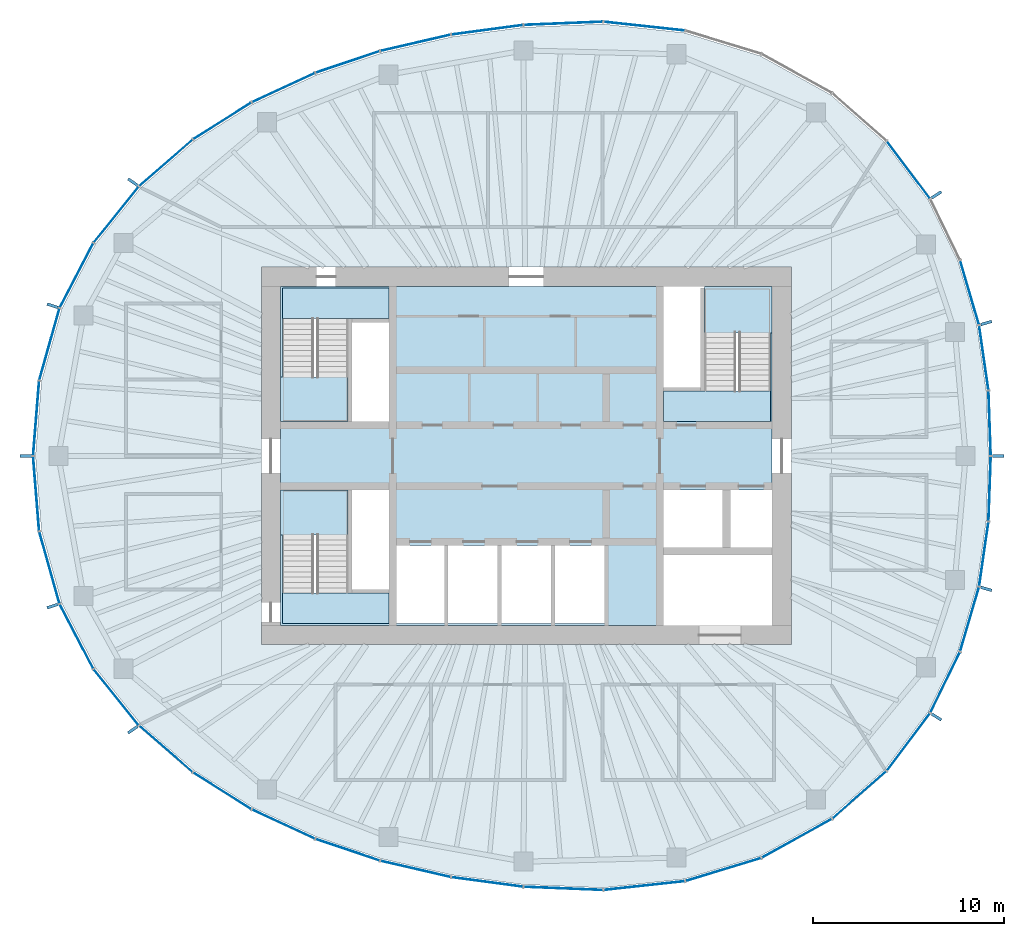
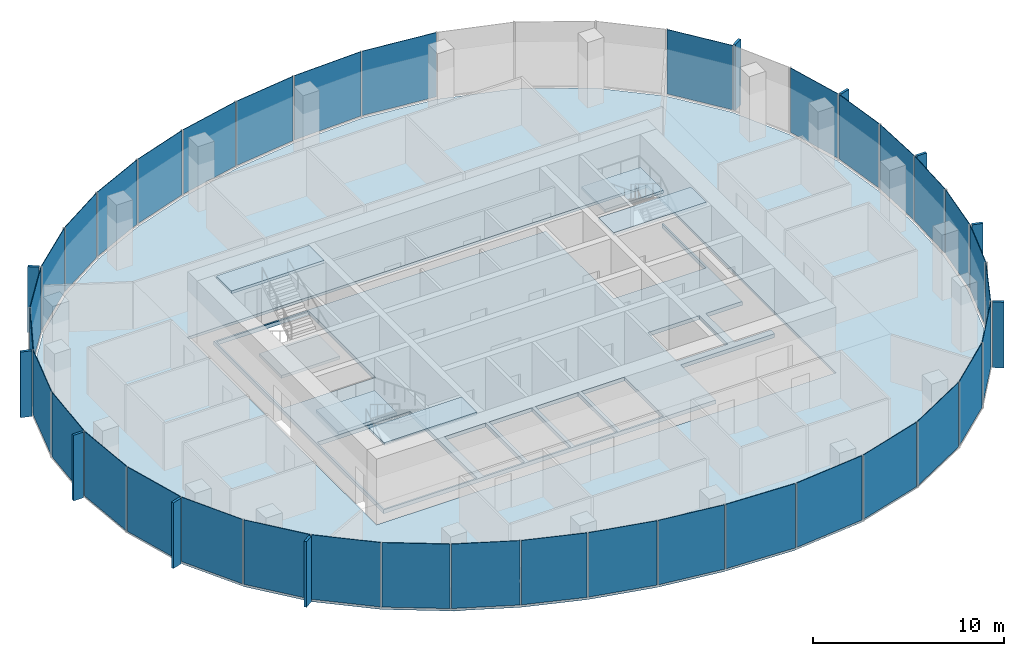
# One storey, part 7 of 11: 46 plates, 8 slabs, 22 elements without a shape of their own.
"""IFC4 building model written with IfcOpenShell, lengths in metres."""

from ifc_helpers import new_model, si_unit, direction, frame, origin, origin_2d, place, context, subcontext, project, spatial, polyline, rectangle, outline, extrude, material, layer, layer_set, type_object, element, aggregate, save


model = new_model("IFC4")

# Units and contexts
model_context = context("Model", 3, precision=1e-05, world=origin(), true_north=direction((0.0, 1.0)))
body_context = subcontext(model_context, "Body", "Model", "MODEL_VIEW")
ifc_project = project(units=[si_unit("LENGTHUNIT", "METRE"), si_unit("AREAUNIT", "SQUARE_METRE"), si_unit("VOLUMEUNIT", "CUBIC_METRE"), si_unit("PLANEANGLEUNIT", "RADIAN"), si_unit("MASSUNIT", "GRAM", prefix="KILO")], contexts=[model_context])

# Site, building, storey
site_placement = place(None, origin())
site = spatial("IfcSite", under=ifc_project, at=site_placement, CompositionType="ELEMENT")
building_placement = place(site_placement, origin())
building = spatial("IfcBuilding", under=site, at=building_placement, Name="Ghaith Harvest Tower", CompositionType="ELEMENT")
storey_placement = place(building_placement, frame((0.0, 0.0, 317.39990234375)))
storey = spatial("IfcBuildingStorey", under=building, at=storey_placement, Name="L71", CompositionType="ELEMENT", Elevation=317.39990234375)

# Curtain wall, plates
ifc_material_1 = material(Name="Black anodised aluminium and fritted glass", Category="aluminium")
curtain_wall_type = type_object("IfcCurtainWallType", Name="CW-T CURTAIN WALL", PredefinedType="NOTDEFINED", material=ifc_material_1)
curtain_wall_1_placement = place(storey_placement, origin())
curtain_wall_1 = element("IfcCurtainWall", 1, at=curtain_wall_1_placement, inside=storey, type_object=curtain_wall_type, Name="Curtain wall CW-T bay 01 L71", PredefinedType="NOTDEFINED")
ifc_material_2 = material(Name="Glass, dark solar-control fritted double glazed unit", Category="glass")
ifc_layer_1 = layer(ifc_material_2, 0.033935546875)
ifc_layer_set_1 = layer_set([ifc_layer_1], Name="CW-T VISION PANEL")
plate_type_1 = type_object("IfcPlateType", Name="CW-T VISION PANEL", PredefinedType="CURTAIN_PANEL", material=ifc_layer_set_1)
plate_1_placement = place(storey_placement, frame((24.308837890625, 1.716796875, 0.080078125), z_axis=(0.0, 0.0, 1.0), x_axis=(-0.035536161859, 0.999368391135, 0.0)))
plate_1 = element("IfcPlate", 2, at=plate_1_placement, type_object=plate_type_1, Name="CW-T glass unit 1 bay 01 L71", PredefinedType="CURTAIN_PANEL", context=body_context, shape_type="SweptSolid", body=[
    extrude(rectangle(XDim=3.35595703125, YDim=0.033935546875, at=origin_2d()), origin(), (0.0, 0.0, 1.0), 4.1201171875),
])
plate_2_placement = place(storey_placement, frame((24.00048828125, 5.1494140625, 0.080078125), z_axis=(0.0, 0.0, 1.0), x_axis=(-0.142729771229, 0.989761694755, 0.0)))
plate_2 = element("IfcPlate", 3, at=plate_2_placement, type_object=plate_type_1, Name="CW-T glass unit 2 bay 01 L71", PredefinedType="CURTAIN_PANEL", context=body_context, shape_type="SweptSolid", body=[
    extrude(rectangle(XDim=3.38671875, YDim=0.033935546875, at=origin_2d()), origin(), (0.0, 0.0, 1.0), 4.1201171875),
])
aggregate(curtain_wall_1, [plate_1, plate_2])

# Curtain wall, plate
curtain_wall_2_placement = place(storey_placement, origin())
curtain_wall_2 = element("IfcCurtainWall", 4, at=curtain_wall_2_placement, inside=storey, type_object=curtain_wall_type, Name="Curtain wall CW-T bay 02 L71", PredefinedType="NOTDEFINED")
plate_3_placement = place(storey_placement, frame((23.253662109375, 8.56884765625, 0.080078125), z_axis=(0.0, 0.0, 1.0), x_axis=(-0.281344622776, 0.959606796159, 0.0)))
plate_3 = element("IfcPlate", 5, at=plate_3_placement, type_object=plate_type_1, Name="CW-T glass unit 1 bay 02 L71", PredefinedType="CURTAIN_PANEL", context=body_context, shape_type="SweptSolid", body=[
    extrude(rectangle(XDim=3.470703125, YDim=0.033935546875, at=origin_2d()), origin(), (0.0, 0.0, 1.0), 4.1201171875),
])
aggregate(curtain_wall_2, [plate_3])

curtain_wall_3_placement = place(storey_placement, origin())
curtain_wall_3 = element("IfcCurtainWall", 6, at=curtain_wall_3_placement, inside=storey, type_object=curtain_wall_type, Name="Curtain wall CW-T bay 03 L71", PredefinedType="NOTDEFINED")
plate_4_placement = place(storey_placement, frame((20.045166015625, 15.006103515625, 0.080078125), z_axis=(0.0, 0.0, 1.0), x_axis=(-0.601047892764, 0.799213007029, 0.0)))
plate_4 = element("IfcPlate", 7, at=plate_4_placement, type_object=plate_type_1, Name="CW-T glass unit 1 bay 03 L71", PredefinedType="CURTAIN_PANEL", context=body_context, shape_type="SweptSolid", body=[
    extrude(rectangle(XDim=3.7265625, YDim=0.033935546875, at=origin_2d()), origin(), (0.0, 0.0, 1.0), 4.1201171875),
])
aggregate(curtain_wall_3, [plate_4])

# Curtain wall, plates
curtain_wall_4_placement = place(storey_placement, origin())
curtain_wall_4 = element("IfcCurtainWall", 8, at=curtain_wall_4_placement, inside=storey, type_object=curtain_wall_type, Name="Curtain wall CW-T bay 05 L71", PredefinedType="NOTDEFINED")
plate_5_placement = place(storey_placement, frame((6.188720703125, 22.542724609375, 0.080078125), z_axis=(0.0, 0.0, 1.0), x_axis=(-0.994142883447, 0.108073712304, 0.0)))
plate_5 = element("IfcPlate", 9, at=plate_5_placement, type_object=plate_type_1, Name="CW-T glass unit 1 bay 05 L71", PredefinedType="CURTAIN_PANEL", context=body_context, shape_type="SweptSolid", body=[
    extrude(rectangle(XDim=4.24755859375, YDim=0.033935546875, at=origin_2d()), origin(), (0.0, 0.0, 1.0), 4.1201171875),
])
plate_6_placement = place(storey_placement, frame((1.94140625, 22.691162109375, 0.080078125), z_axis=(0.0, 0.0, 1.0), x_axis=(-0.999173925852, -0.040638231968, 0.0)))
plate_6 = element("IfcPlate", 10, at=plate_6_placement, type_object=plate_type_1, Name="CW-T glass unit 2 bay 05 L71", PredefinedType="CURTAIN_PANEL", context=body_context, shape_type="SweptSolid", body=[
    extrude(rectangle(XDim=4.115966796875, YDim=0.033935546875, at=origin_2d()), origin(), (0.0, 0.0, 1.0), 4.1201171875),
])
aggregate(curtain_wall_4, [plate_5, plate_6])

curtain_wall_5_placement = place(storey_placement, origin())
curtain_wall_5 = element("IfcCurtainWall", 11, at=curtain_wall_5_placement, inside=storey, type_object=curtain_wall_type, Name="Curtain wall CW-T bay 06 L71", PredefinedType="NOTDEFINED")
plate_7_placement = place(storey_placement, frame((-2.050537109375, 22.352294921875, 0.080078125), z_axis=(0.0, 0.0, 1.0), x_axis=(-0.991165262661, -0.132632658474, 0.0)))
plate_7 = element("IfcPlate", 12, at=plate_7_placement, type_object=plate_type_1, Name="CW-T glass unit 1 bay 06 L71", PredefinedType="CURTAIN_PANEL", context=body_context, shape_type="SweptSolid", body=[
    extrude(rectangle(XDim=3.74560546875, YDim=0.033935546875, at=origin_2d()), origin(), (0.0, 0.0, 1.0), 4.1201171875),
])
plate_8_placement = place(storey_placement, frame((-5.80859375, 21.66845703125, 0.080078125), z_axis=(0.0, 0.0, 1.0), x_axis=(-0.974342245415, -0.225071519297, 0.0)))
plate_8 = element("IfcPlate", 13, at=plate_8_placement, type_object=plate_type_1, Name="CW-T glass unit 2 bay 06 L71", PredefinedType="CURTAIN_PANEL", context=body_context, shape_type="SweptSolid", body=[
    extrude(rectangle(XDim=3.742431640625, YDim=0.033935546875, at=origin_2d()), origin(), (0.0, 0.0, 1.0), 4.1201171875),
])
aggregate(curtain_wall_5, [plate_7, plate_8])

curtain_wall_6_placement = place(storey_placement, origin())
curtain_wall_6 = element("IfcCurtainWall", 14, at=curtain_wall_6_placement, inside=storey, type_object=curtain_wall_type, Name="Curtain wall CW-T bay 07 L71", PredefinedType="NOTDEFINED")
plate_9_placement = place(storey_placement, frame((-9.369140625, 20.665771484375, 0.080078125), z_axis=(0.0, 0.0, 1.0), x_axis=(-0.947586403329, -0.319499621637, 0.0)))
plate_9 = element("IfcPlate", 15, at=plate_9_placement, type_object=plate_type_1, Name="CW-T glass unit 1 bay 07 L71", PredefinedType="CURTAIN_PANEL", context=body_context, shape_type="SweptSolid", body=[
    extrude(rectangle(XDim=3.50439453125, YDim=0.033935546875, at=origin_2d()), origin(), (0.0, 0.0, 1.0), 4.1201171875),
])
plate_10_placement = place(storey_placement, frame((-12.736083984375, 19.3203125, 0.080078125), z_axis=(0.0, 0.0, 1.0), x_axis=(-0.907450165401, -0.420159728334, 0.0)))
plate_10 = element("IfcPlate", 16, at=plate_10_placement, type_object=plate_type_1, Name="CW-T glass unit 2 bay 07 L71", PredefinedType="CURTAIN_PANEL", context=body_context, shape_type="SweptSolid", body=[
    extrude(rectangle(XDim=3.597900390625, YDim=0.033935546875, at=origin_2d()), origin(), (0.0, 0.0, 1.0), 4.1201171875),
])
aggregate(curtain_wall_6, [plate_9, plate_10])

curtain_wall_7_placement = place(storey_placement, origin())
curtain_wall_7 = element("IfcCurtainWall", 17, at=curtain_wall_7_placement, inside=storey, type_object=curtain_wall_type, Name="Curtain wall CW-T bay 08 L71", PredefinedType="NOTDEFINED")
plate_11_placement = place(storey_placement, frame((-15.94970703125, 17.57421875, 0.080078125), z_axis=(0.0, 0.0, 1.0), x_axis=(-0.846043473903, -0.533113909279, 0.0)))
plate_11 = element("IfcPlate", 18, at=plate_11_placement, type_object=plate_type_1, Name="CW-T glass unit 1 bay 08 L71", PredefinedType="CURTAIN_PANEL", context=body_context, shape_type="SweptSolid", body=[
    extrude(rectangle(XDim=3.572021484375, YDim=0.033935546875, at=origin_2d()), origin(), (0.0, 0.0, 1.0), 4.1201171875),
])
plate_12_placement = place(storey_placement, frame((-18.909423828125, 15.371337890625, 0.080078125), z_axis=(0.0, 0.0, 1.0), x_axis=(-0.754828549513, -0.655922145411, 0.0)))
plate_12 = element("IfcPlate", 19, at=plate_12_placement, type_object=plate_type_1, Name="CW-T glass unit 2 bay 08 L71", PredefinedType="CURTAIN_PANEL", context=body_context, shape_type="SweptSolid", body=[
    extrude(rectangle(XDim=3.668701171875, YDim=0.033935546875, at=origin_2d()), origin(), (0.0, 0.0, 1.0), 4.1201171875),
])
aggregate(curtain_wall_7, [plate_11, plate_12])

curtain_wall_8_placement = place(storey_placement, origin())
curtain_wall_8 = element("IfcCurtainWall", 20, at=curtain_wall_8_placement, inside=storey, type_object=curtain_wall_type, Name="Curtain wall CW-T bay 09 L71", PredefinedType="NOTDEFINED")
plate_13_placement = place(storey_placement, frame((-21.515380859375, 12.6591796875, 0.080078125), z_axis=(0.0, 0.0, 1.0), x_axis=(-0.626229505742, -0.779638766441, 0.0)))
plate_13 = element("IfcPlate", 21, at=plate_13_placement, type_object=plate_type_1, Name="CW-T glass unit 1 bay 09 L71", PredefinedType="CURTAIN_PANEL", context=body_context, shape_type="SweptSolid", body=[
    extrude(rectangle(XDim=3.723388671875, YDim=0.033935546875, at=origin_2d()), origin(), (0.0, 0.0, 1.0), 4.1201171875),
])
plate_14_placement = place(storey_placement, frame((-23.594482421875, 9.4677734375, 0.080078125), z_axis=(0.0, 0.0, 1.0), x_axis=(-0.461229945578, -0.887280641794, 0.0)))
plate_14 = element("IfcPlate", 22, at=plate_14_placement, type_object=plate_type_1, Name="CW-T glass unit 2 bay 09 L71", PredefinedType="CURTAIN_PANEL", context=body_context, shape_type="SweptSolid", body=[
    extrude(rectangle(XDim=3.771728515625, YDim=0.033935546875, at=origin_2d()), origin(), (0.0, 0.0, 1.0), 4.1201171875),
])
aggregate(curtain_wall_8, [plate_13, plate_14])

curtain_wall_9_placement = place(storey_placement, origin())
curtain_wall_9 = element("IfcCurtainWall", 23, at=curtain_wall_9_placement, inside=storey, type_object=curtain_wall_type, Name="Curtain wall CW-T bay 10 L71", PredefinedType="NOTDEFINED")
plate_15_placement = place(storey_placement, frame((-25.017333984375, 5.85546875, 0.080078125), z_axis=(0.0, 0.0, 1.0), x_axis=(-0.270355239749, -0.962760637095, 0.0)))
plate_15 = element("IfcPlate", 24, at=plate_15_placement, type_object=plate_type_1, Name="CW-T glass unit 1 bay 10 L71", PredefinedType="CURTAIN_PANEL", context=body_context, shape_type="SweptSolid", body=[
    extrude(rectangle(XDim=3.874267578125, YDim=0.033935546875, at=origin_2d()), origin(), (0.0, 0.0, 1.0), 4.1201171875),
])
plate_16_placement = place(storey_placement, frame((-25.7109375, 1.97607421875, 0.080078125), z_axis=(0.0, 0.0, 1.0), x_axis=(-0.080257648011, -0.99677415192, 0.0)))
plate_16 = element("IfcPlate", 25, at=plate_16_placement, type_object=plate_type_1, Name="CW-T glass unit 2 bay 10 L71", PredefinedType="CURTAIN_PANEL", context=body_context, shape_type="SweptSolid", body=[
    extrude(rectangle(XDim=3.884765625, YDim=0.033935546875, at=origin_2d()), origin(), (0.0, 0.0, 1.0), 4.1201171875),
])
aggregate(curtain_wall_9, [plate_15, plate_16])

curtain_wall_10_placement = place(storey_placement, origin())
curtain_wall_10 = element("IfcCurtainWall", 26, at=curtain_wall_10_placement, inside=storey, type_object=curtain_wall_type, Name="Curtain wall CW-T bay 11 L71", PredefinedType="NOTDEFINED")
plate_17_placement = place(storey_placement, frame((-25.7109375, -1.97607421875, 0.080078125), z_axis=(0.0, 0.0, 1.0), x_axis=(0.080257648324, -0.996774151895, 0.0)))
plate_17 = element("IfcPlate", 27, at=plate_17_placement, type_object=plate_type_1, Name="CW-T glass unit 1 bay 11 L71", PredefinedType="CURTAIN_PANEL", context=body_context, shape_type="SweptSolid", body=[
    extrude(rectangle(XDim=3.884765625, YDim=0.033935546875, at=origin_2d()), origin(), (0.0, 0.0, 1.0), 4.1201171875),
])
plate_18_placement = place(storey_placement, frame((-25.017333984375, -5.85546875, 0.080078125), z_axis=(0.0, 0.0, 1.0), x_axis=(0.27035523953, -0.962760637157, 0.0)))
plate_18 = element("IfcPlate", 28, at=plate_18_placement, type_object=plate_type_1, Name="CW-T glass unit 2 bay 11 L71", PredefinedType="CURTAIN_PANEL", context=body_context, shape_type="SweptSolid", body=[
    extrude(rectangle(XDim=3.874267578125, YDim=0.033935546875, at=origin_2d()), origin(), (0.0, 0.0, 1.0), 4.1201171875),
])
aggregate(curtain_wall_10, [plate_17, plate_18])

curtain_wall_11_placement = place(storey_placement, origin())
curtain_wall_11 = element("IfcCurtainWall", 29, at=curtain_wall_11_placement, inside=storey, type_object=curtain_wall_type, Name="Curtain wall CW-T bay 12 L71", PredefinedType="NOTDEFINED")
plate_19_placement = place(storey_placement, frame((-23.594482421875, -9.4677734375, 0.080078125), z_axis=(0.0, 0.0, 1.0), x_axis=(0.461229945377, -0.887280641898, 0.0)))
plate_19 = element("IfcPlate", 30, at=plate_19_placement, type_object=plate_type_1, Name="CW-T glass unit 1 bay 12 L71", PredefinedType="CURTAIN_PANEL", context=body_context, shape_type="SweptSolid", body=[
    extrude(rectangle(XDim=3.771728515625, YDim=0.033935546875, at=origin_2d()), origin(), (0.0, 0.0, 1.0), 4.1201171875),
])
plate_20_placement = place(storey_placement, frame((-21.515380859375, -12.6591796875, 0.080078125), z_axis=(0.0, 0.0, 1.0), x_axis=(0.626229505565, -0.779638766583, 0.0)))
plate_20 = element("IfcPlate", 31, at=plate_20_placement, type_object=plate_type_1, Name="CW-T glass unit 2 bay 12 L71", PredefinedType="CURTAIN_PANEL", context=body_context, shape_type="SweptSolid", body=[
    extrude(rectangle(XDim=3.723388671875, YDim=0.033935546875, at=origin_2d()), origin(), (0.0, 0.0, 1.0), 4.1201171875),
])
aggregate(curtain_wall_11, [plate_19, plate_20])

curtain_wall_12_placement = place(storey_placement, origin())
curtain_wall_12 = element("IfcCurtainWall", 32, at=curtain_wall_12_placement, inside=storey, type_object=curtain_wall_type, Name="Curtain wall CW-T bay 13 L71", PredefinedType="NOTDEFINED")
plate_21_placement = place(storey_placement, frame((-18.909423828125, -15.371337890625, 0.080078125), z_axis=(0.0, 0.0, 1.0), x_axis=(0.754828549376, -0.655922145569, 0.0)))
plate_21 = element("IfcPlate", 33, at=plate_21_placement, type_object=plate_type_1, Name="CW-T glass unit 1 bay 13 L71", PredefinedType="CURTAIN_PANEL", context=body_context, shape_type="SweptSolid", body=[
    extrude(rectangle(XDim=3.668701171875, YDim=0.033935546875, at=origin_2d()), origin(), (0.0, 0.0, 1.0), 4.1201171875),
])
plate_22_placement = place(storey_placement, frame((-15.94970703125, -17.57421875, 0.080078125), z_axis=(0.0, 0.0, 1.0), x_axis=(0.846043474052, -0.533113909042, 0.0)))
plate_22 = element("IfcPlate", 34, at=plate_22_placement, type_object=plate_type_1, Name="CW-T glass unit 2 bay 13 L71", PredefinedType="CURTAIN_PANEL", context=body_context, shape_type="SweptSolid", body=[
    extrude(rectangle(XDim=3.572021484375, YDim=0.033935546875, at=origin_2d()), origin(), (0.0, 0.0, 1.0), 4.1201171875),
])
aggregate(curtain_wall_12, [plate_21, plate_22])

curtain_wall_13_placement = place(storey_placement, origin())
curtain_wall_13 = element("IfcCurtainWall", 35, at=curtain_wall_13_placement, inside=storey, type_object=curtain_wall_type, Name="Curtain wall CW-T bay 14 L71", PredefinedType="NOTDEFINED")
plate_23_placement = place(storey_placement, frame((-12.736083984375, -19.3203125, 0.080078125), z_axis=(0.0, 0.0, 1.0), x_axis=(0.907450165812, -0.420159727447, 0.0)))
plate_23 = element("IfcPlate", 36, at=plate_23_placement, type_object=plate_type_1, Name="CW-T glass unit 1 bay 14 L71", PredefinedType="CURTAIN_PANEL", context=body_context, shape_type="SweptSolid", body=[
    extrude(rectangle(XDim=3.597900390625, YDim=0.033935546875, at=origin_2d()), origin(), (0.0, 0.0, 1.0), 4.1201171875),
])
plate_24_placement = place(storey_placement, frame((-9.369140625, -20.665771484375, 0.080078125), z_axis=(0.0, 0.0, 1.0), x_axis=(0.947586403597, -0.319499620843, 0.0)))
plate_24 = element("IfcPlate", 37, at=plate_24_placement, type_object=plate_type_1, Name="CW-T glass unit 2 bay 14 L71", PredefinedType="CURTAIN_PANEL", context=body_context, shape_type="SweptSolid", body=[
    extrude(rectangle(XDim=3.50439453125, YDim=0.033935546875, at=origin_2d()), origin(), (0.0, 0.0, 1.0), 4.1201171875),
])
aggregate(curtain_wall_13, [plate_23, plate_24])

curtain_wall_14_placement = place(storey_placement, origin())
curtain_wall_14 = element("IfcCurtainWall", 38, at=curtain_wall_14_placement, inside=storey, type_object=curtain_wall_type, Name="Curtain wall CW-T bay 15 L71", PredefinedType="NOTDEFINED")
plate_25_placement = place(storey_placement, frame((-5.80859375, -21.66845703125, 0.080078125), z_axis=(0.0, 0.0, 1.0), x_axis=(0.974342245521, -0.225071518838, 0.0)))
plate_25 = element("IfcPlate", 39, at=plate_25_placement, type_object=plate_type_1, Name="CW-T glass unit 1 bay 15 L71", PredefinedType="CURTAIN_PANEL", context=body_context, shape_type="SweptSolid", body=[
    extrude(rectangle(XDim=3.742431640625, YDim=0.033935546875, at=origin_2d()), origin(), (0.0, 0.0, 1.0), 4.1201171875),
])
plate_26_placement = place(storey_placement, frame((-2.050537109375, -22.352294921875, 0.080078125), z_axis=(0.0, 0.0, 1.0), x_axis=(0.991165262684, -0.132632658301, 0.0)))
plate_26 = element("IfcPlate", 40, at=plate_26_placement, type_object=plate_type_1, Name="CW-T glass unit 2 bay 15 L71", PredefinedType="CURTAIN_PANEL", context=body_context, shape_type="SweptSolid", body=[
    extrude(rectangle(XDim=3.74560546875, YDim=0.033935546875, at=origin_2d()), origin(), (0.0, 0.0, 1.0), 4.1201171875),
])
aggregate(curtain_wall_14, [plate_25, plate_26])

curtain_wall_15_placement = place(storey_placement, origin())
curtain_wall_15 = element("IfcCurtainWall", 41, at=curtain_wall_15_placement, inside=storey, type_object=curtain_wall_type, Name="Curtain wall CW-T bay 16 L71", PredefinedType="NOTDEFINED")
plate_27_placement = place(storey_placement, frame((1.94140625, -22.691162109375, 0.080078125), z_axis=(0.0, 0.0, 1.0), x_axis=(0.999173925863, -0.040638231706, 0.0)))
plate_27 = element("IfcPlate", 42, at=plate_27_placement, type_object=plate_type_1, Name="CW-T glass unit 1 bay 16 L71", PredefinedType="CURTAIN_PANEL", context=body_context, shape_type="SweptSolid", body=[
    extrude(rectangle(XDim=4.115966796875, YDim=0.033935546875, at=origin_2d()), origin(), (0.0, 0.0, 1.0), 4.1201171875),
])
plate_28_placement = place(storey_placement, frame((6.188720703125, -22.542724609375, 0.080078125), z_axis=(0.0, 0.0, 1.0), x_axis=(0.994142883417, 0.108073712581, 0.0)))
plate_28 = element("IfcPlate", 43, at=plate_28_placement, type_object=plate_type_1, Name="CW-T glass unit 2 bay 16 L71", PredefinedType="CURTAIN_PANEL", context=body_context, shape_type="SweptSolid", body=[
    extrude(rectangle(XDim=4.24755859375, YDim=0.033935546875, at=origin_2d()), origin(), (0.0, 0.0, 1.0), 4.1201171875),
])
aggregate(curtain_wall_15, [plate_27, plate_28])

curtain_wall_16_placement = place(storey_placement, origin())
curtain_wall_16 = element("IfcCurtainWall", 44, at=curtain_wall_16_placement, inside=storey, type_object=curtain_wall_type, Name="Curtain wall CW-T bay 17 L71", PredefinedType="NOTDEFINED")
plate_29_placement = place(storey_placement, frame((10.337158203125, -21.700439453125, 0.080078125), z_axis=(0.0, 0.0, 1.0), x_axis=(0.956587736012, 0.291444511548, 0.0)))
plate_29 = element("IfcPlate", 45, at=plate_29_placement, type_object=plate_type_1, Name="CW-T glass unit 1 bay 17 L71", PredefinedType="CURTAIN_PANEL", context=body_context, shape_type="SweptSolid", body=[
    extrude(rectangle(XDim=4.095703125, YDim=0.033935546875, at=origin_2d()), origin(), (0.0, 0.0, 1.0), 4.1201171875),
])
plate_30_placement = place(storey_placement, frame((14.19189453125, -20.06201171875, 0.080078125), z_axis=(0.0, 0.0, 1.0), x_axis=(0.874564022715, 0.484910064004, 0.0)))
plate_30 = element("IfcPlate", 46, at=plate_30_placement, type_object=plate_type_1, Name="CW-T glass unit 2 bay 17 L71", PredefinedType="CURTAIN_PANEL", context=body_context, shape_type="SweptSolid", body=[
    extrude(rectangle(XDim=4.167724609375, YDim=0.033935546875, at=origin_2d()), origin(), (0.0, 0.0, 1.0), 4.1201171875),
])
aggregate(curtain_wall_16, [plate_29, plate_30])

curtain_wall_17_placement = place(storey_placement, origin())
curtain_wall_17 = element("IfcCurtainWall", 47, at=curtain_wall_17_placement, inside=storey, type_object=curtain_wall_type, Name="Curtain wall CW-T bay 18 L71", PredefinedType="NOTDEFINED")
plate_31_placement = place(storey_placement, frame((17.47509765625, -17.779541015625, 0.080078125), z_axis=(0.0, 0.0, 1.0), x_axis=(0.751334532577, 0.659921525757, 0.0)))
plate_31 = element("IfcPlate", 48, at=plate_31_placement, type_object=plate_type_1, Name="CW-T glass unit 1 bay 18 L71", PredefinedType="CURTAIN_PANEL", context=body_context, shape_type="SweptSolid", body=[
    extrude(rectangle(XDim=3.7158203125, YDim=0.033935546875, at=origin_2d()), origin(), (0.0, 0.0, 1.0), 4.1201171875),
])
plate_32_placement = place(storey_placement, frame((20.045166015625, -15.006103515625, 0.080078125), z_axis=(0.0, 0.0, 1.0), x_axis=(0.601047892945, 0.799213006892, 0.0)))
plate_32 = element("IfcPlate", 49, at=plate_32_placement, type_object=plate_type_1, Name="CW-T glass unit 2 bay 18 L71", PredefinedType="CURTAIN_PANEL", context=body_context, shape_type="SweptSolid", body=[
    extrude(rectangle(XDim=3.7265625, YDim=0.033935546875, at=origin_2d()), origin(), (0.0, 0.0, 1.0), 4.1201171875),
])
aggregate(curtain_wall_17, [plate_31, plate_32])

curtain_wall_18_placement = place(storey_placement, origin())
curtain_wall_18 = element("IfcCurtainWall", 50, at=curtain_wall_18_placement, inside=storey, type_object=curtain_wall_type, Name="Curtain wall CW-T bay 19 L71", PredefinedType="NOTDEFINED")
plate_33_placement = place(storey_placement, frame((21.9716796875, -11.878662109375, 0.080078125), z_axis=(0.0, 0.0, 1.0), x_axis=(0.437968365352, 0.898990384237, 0.0)))
plate_33 = element("IfcPlate", 51, at=plate_33_placement, type_object=plate_type_1, Name="CW-T glass unit 1 bay 19 L71", PredefinedType="CURTAIN_PANEL", context=body_context, shape_type="SweptSolid", body=[
    extrude(rectangle(XDim=3.49365234375, YDim=0.033935546875, at=origin_2d()), origin(), (0.0, 0.0, 1.0), 4.1201171875),
])
plate_34_placement = place(storey_placement, frame((23.253662109375, -8.56884765625, 0.080078125), z_axis=(0.0, 0.0, 1.0), x_axis=(0.281344622977, 0.9596067961, 0.0)))
plate_34 = element("IfcPlate", 52, at=plate_34_placement, type_object=plate_type_1, Name="CW-T glass unit 2 bay 19 L71", PredefinedType="CURTAIN_PANEL", context=body_context, shape_type="SweptSolid", body=[
    extrude(rectangle(XDim=3.470703125, YDim=0.033935546875, at=origin_2d()), origin(), (0.0, 0.0, 1.0), 4.1201171875),
])
aggregate(curtain_wall_18, [plate_33, plate_34])

curtain_wall_19_placement = place(storey_placement, origin())
curtain_wall_19 = element("IfcCurtainWall", 53, at=curtain_wall_19_placement, inside=storey, type_object=curtain_wall_type, Name="Curtain wall CW-T bay 20 L71", PredefinedType="NOTDEFINED")
plate_35_placement = place(storey_placement, frame((24.00048828125, -5.1494140625, 0.080078125), z_axis=(0.0, 0.0, 1.0), x_axis=(0.142729771402, 0.98976169473, 0.0)))
plate_35 = element("IfcPlate", 54, at=plate_35_placement, type_object=plate_type_1, Name="CW-T glass unit 1 bay 20 L71", PredefinedType="CURTAIN_PANEL", context=body_context, shape_type="SweptSolid", body=[
    extrude(rectangle(XDim=3.38671875, YDim=0.033935546875, at=origin_2d()), origin(), (0.0, 0.0, 1.0), 4.1201171875),
])
plate_36_placement = place(storey_placement, frame((24.308837890625, -1.716796875, 0.080078125), z_axis=(0.0, 0.0, 1.0), x_axis=(0.035536161929, 0.999368391133, 0.0)))
plate_36 = element("IfcPlate", 55, at=plate_36_placement, type_object=plate_type_1, Name="CW-T glass unit 2 bay 20 L71", PredefinedType="CURTAIN_PANEL", context=body_context, shape_type="SweptSolid", body=[
    extrude(rectangle(XDim=3.35595703125, YDim=0.033935546875, at=origin_2d()), origin(), (0.0, 0.0, 1.0), 4.1201171875),
])
aggregate(curtain_wall_19, [plate_35, plate_36])

# Slabs
ifc_material_3 = material(Name="Concrete C40/50", Category="concrete")
ifc_layer_2 = layer(ifc_material_3, 0.169921875)
ifc_layer_set_2 = layer_set([ifc_layer_2], Name="FLOOR SLAB 170")
slab_type_1 = type_object("IfcSlabType", Name="FLOOR SLAB 170", PredefinedType="FLOOR", material=ifc_layer_set_2)
slab_1_placement = place(storey_placement, frame((0.0, 0.0, -0.169921875)))
element("IfcSlab", 56, at=slab_1_placement, inside=storey, type_object=slab_type_1, Name="Floor slab L71", PredefinedType="FLOOR", context=body_context, shape_type="SweptSolid", body=[
    extrude(outline(polyline([(24.25, 0.0), (24.129150390625, 3.4169921875), (23.6376953125, 6.831787109375), (22.644775390625, 10.222900390625), (21.087890625, 13.42041015625), (18.810791015625, 16.4482421875), (15.971923828125, 18.940185546875), (12.273681640625, 20.98828125), (8.2978515625, 22.1962890625), (4.016845703125, 22.658447265625), (-0.15380859375, 22.486083984375), (-3.92529296875, 21.98046875), (-7.6298828125, 21.12548828125), (-11.009521484375, 19.98779296875), (-14.331298828125, 18.452880859375), (-17.40771484375, 16.518310546875), (-20.225830078125, 14.0732421875), (-22.5986328125, 11.12353515625), (-24.368408203125, 7.722900390625), (-25.43310546875, 3.93359375), (-25.75, 0.0), (-25.43310546875, -3.93359375), (-24.368408203125, -7.722900390625), (-22.5986328125, -11.12353515625), (-20.225830078125, -14.0732421875), (-17.40771484375, -16.518310546875), (-14.331298828125, -18.452880859375), (-11.009521484375, -19.98779296875), (-7.6298828125, -21.12548828125), (-3.92529296875, -21.98046875), (-0.15380859375, -22.486083984375), (4.016845703125, -22.658447265625), (8.2978515625, -22.1962890625), (12.273681640625, -20.98828125), (15.971923828125, -18.940185546875), (18.810791015625, -16.4482421875), (21.087890625, -13.42041015625), (22.644775390625, -10.222900390625), (23.6376953125, -6.831787109375), (24.129150390625, -3.4169921875), (24.25, 0.0)]), holes=[polyline([(-13.89990234375, -9.89990234375), (13.89990234375, -9.89990234375), (13.89990234375, 9.89990234375), (-13.89990234375, 9.89990234375), (-13.89990234375, -9.89990234375)])]), origin(), (0.0, 0.0, 1.0), 0.169921875),
])
ifc_material_4 = material(Name="Concrete C40/50", Category="concrete")
ifc_layer_3 = layer(ifc_material_4, 0.25)
ifc_layer_set_3 = layer_set([ifc_layer_3], Name="FLOOR SLAB 250")
slab_type_2 = type_object("IfcSlabType", Name="FLOOR SLAB 250", PredefinedType="FLOOR", material=ifc_layer_set_3)
slab_2_placement = place(storey_placement, frame((0.0, 0.0, -0.25)))
element("IfcSlab", 57, at=slab_2_placement, inside=storey, type_object=slab_type_2, Name="Core slab L71", PredefinedType="FLOOR", context=body_context, shape_type="SweptSolid", body=[
    extrude(outline(polyline([(-12.89990234375, 8.89990234375), (7.199951171875, 8.89990234375), (7.199951171875, 1.800048828125), (12.800048828125, 1.800048828125), (12.800048828125, 6.4599609375), (12.89990234375, 6.4599609375), (12.89990234375, -1.800048828125), (10.699951171875, -1.800048828125), (10.699951171875, -4.800048828125), (12.89990234375, -4.800048828125), (12.89990234375, -5.199951171875), (7.199951171875, -5.199951171875), (7.199951171875, -8.89990234375), (-12.89990234375, -8.89990234375), (-12.89990234375, 8.89990234375)]), holes=[polyline([(-4.300048828125, -4.699951171875), (-6.800048828125, -4.699951171875), (-6.800048828125, -8.800048828125), (-4.300048828125, -8.800048828125), (-4.300048828125, -4.699951171875)]), polyline([(-1.5, -4.699951171875), (-4.10009765625, -4.699951171875), (-4.10009765625, -8.800048828125), (-1.5, -8.800048828125), (-1.5, -4.699951171875)]), polyline([(1.300048828125, -8.800048828125), (1.300048828125, -4.699951171875), (-1.300048828125, -4.699951171875), (-1.300048828125, -8.800048828125), (1.300048828125, -8.800048828125)]), polyline([(4.10009765625, -8.800048828125), (4.10009765625, -4.699951171875), (1.5, -4.699951171875), (1.5, -8.800048828125), (4.10009765625, -8.800048828125)]), polyline([(-7.199951171875, -1.800048828125), (-12.800048828125, -1.800048828125), (-12.800048828125, -8.800048828125), (-7.199951171875, -8.800048828125), (-7.199951171875, -1.800048828125)]), polyline([(10.300048828125, -1.800048828125), (7.199951171875, -1.800048828125), (7.199951171875, -4.800048828125), (10.300048828125, -4.800048828125), (10.300048828125, -1.800048828125)]), polyline([(-12.800048828125, 1.800048828125), (-7.199951171875, 1.800048828125), (-7.199951171875, 8.800048828125), (-12.800048828125, 8.800048828125), (-12.800048828125, 1.800048828125)])]), origin(), (0.0, 0.0, 1.0), 0.25),
])

# Stair, slabs
ifc_material_5 = material(Name="Concrete C40/50, precast", Category="concrete")
stair_type = type_object("IfcStairType", Name="CORE STAIR 24R", PredefinedType="HALF_TURN_STAIR", material=ifc_material_5)
stair_1_placement = place(storey_placement, origin())
stair_1 = element("IfcStair", 58, at=stair_1_placement, inside=storey, type_object=stair_type, Name="Stair ST1 L71", PredefinedType="HALF_TURN_STAIR")
ifc_material_6 = material(Name="Concrete C40/50, precast", Category="concrete")
ifc_layer_4 = layer(ifc_material_6, 0.179931640625)
ifc_layer_set_4 = layer_set([ifc_layer_4], Name="STAIR LANDING 180")
slab_type_3 = type_object("IfcSlabType", Name="STAIR LANDING 180", PredefinedType="LANDING", material=ifc_layer_set_4)
slab_3_placement = place(storey_placement, frame((0.0, 0.0, 1.920166015625)))
slab_3 = element("IfcSlab", 59, at=slab_3_placement, type_object=slab_type_3, Name="ST1 landing 1", PredefinedType="LANDING", context=body_context, shape_type="SweptSolid", body=[
    extrude(outline(polyline([(-12.89990234375, 4.139892578125), (-12.89990234375, 1.800048828125), (-9.35009765625, 1.800048828125), (-9.35009765625, 4.139892578125), (-12.89990234375, 4.139892578125)])), origin(), (0.0, 0.0, 1.0), 0.179931640625),
])
slab_4_placement = place(storey_placement, frame((0.0, 0.0, 4.02001953125)))
slab_4 = element("IfcSlab", 60, at=slab_4_placement, type_object=slab_type_3, Name="ST1 landing 2", PredefinedType="LANDING", context=body_context, shape_type="SweptSolid", body=[
    extrude(outline(polyline([(-12.800048828125, 8.800048828125), (-12.800048828125, 7.199951171875), (-7.199951171875, 7.199951171875), (-7.199951171875, 8.800048828125), (-12.800048828125, 8.800048828125)])), origin(), (0.0, 0.0, 1.0), 0.18017578125),
])
aggregate(stair_1, [slab_3, slab_4])

stair_2_placement = place(storey_placement, origin())
stair_2 = element("IfcStair", 61, at=stair_2_placement, inside=storey, type_object=stair_type, Name="Stair ST3 L71", PredefinedType="HALF_TURN_STAIR")
slab_5_placement = place(storey_placement, frame((0.0, 0.0, 1.920166015625)))
slab_5 = element("IfcSlab", 62, at=slab_5_placement, type_object=slab_type_3, Name="ST3 landing 1", PredefinedType="LANDING", context=body_context, shape_type="SweptSolid", body=[
    extrude(outline(polyline([(-12.89990234375, -4.139892578125), (-12.89990234375, -1.800048828125), (-9.35009765625, -1.800048828125), (-9.35009765625, -4.139892578125), (-12.89990234375, -4.139892578125)])), origin(), (0.0, 0.0, 1.0), 0.179931640625),
])
slab_6_placement = place(storey_placement, frame((0.0, 0.0, 4.02001953125)))
slab_6 = element("IfcSlab", 63, at=slab_6_placement, type_object=slab_type_3, Name="ST3 landing 2", PredefinedType="LANDING", context=body_context, shape_type="SweptSolid", body=[
    extrude(outline(polyline([(-12.800048828125, -8.800048828125), (-12.800048828125, -7.199951171875), (-7.199951171875, -7.199951171875), (-7.199951171875, -8.800048828125), (-12.800048828125, -8.800048828125)])), origin(), (0.0, 0.0, 1.0), 0.18017578125),
])
aggregate(stair_2, [slab_5, slab_6])

stair_3_placement = place(storey_placement, origin())
stair_3 = element("IfcStair", 64, at=stair_3_placement, inside=storey, type_object=stair_type, Name="Stair ST2 L71", PredefinedType="HALF_TURN_STAIR")
slab_7_placement = place(storey_placement, frame((0.0, 0.0, 1.920166015625)))
slab_7 = element("IfcSlab", 65, at=slab_7_placement, type_object=slab_type_3, Name="ST2 landing 1", PredefinedType="LANDING", context=body_context, shape_type="SweptSolid", body=[
    extrude(outline(polyline([(12.89990234375, 6.4599609375), (12.89990234375, 8.89990234375), (9.35009765625, 8.89990234375), (9.35009765625, 6.4599609375), (12.89990234375, 6.4599609375)])), origin(), (0.0, 0.0, 1.0), 0.179931640625),
])
slab_8_placement = place(storey_placement, frame((0.0, 0.0, 4.02001953125)))
slab_8 = element("IfcSlab", 66, at=slab_8_placement, type_object=slab_type_3, Name="ST2 landing 2", PredefinedType="LANDING", context=body_context, shape_type="SweptSolid", body=[
    extrude(outline(polyline([(12.800048828125, 1.800048828125), (12.800048828125, 3.39990234375), (7.199951171875, 3.39990234375), (7.199951171875, 1.800048828125), (12.800048828125, 1.800048828125)])), origin(), (0.0, 0.0, 1.0), 0.18017578125),
])
aggregate(stair_3, [slab_7, slab_8])

# Plates
ifc_material_7 = material(Name="Glassfibre-reinforced concrete", Category="concrete")
ifc_layer_5 = layer(ifc_material_7, 0.14990234375)
ifc_layer_set_5 = layer_set([ifc_layer_5], Name="SUN-BREAKER FIN 600x150")
plate_type_2 = type_object("IfcPlateType", Name="SUN-BREAKER FIN 600x150", PredefinedType="USERDEFINED", material=ifc_layer_set_5)
for number, where, z_axis, x_axis, name in (
    (67, (24.760009765625, 0.0, 0.0), (0.0, 0.0, 1.0), (1.0, 0.0, 0.0), "Sun-breaker fin CW-T 1 bay 01 L71"),
    (68, (24.127685546875, 6.973388671875, 0.0), (0.0, 0.0, 1.0), (0.960680349985, 0.277656739792, 0.0), "Sun-breaker fin CW-T 1 bay 02 L71"),
    (69, (21.51806640625, 13.6943359375, 0.0), (0.0, 0.0, 1.0), (0.843643971464, 0.536903016766, 0.0), "Sun-breaker fin CW-T 1 bay 03 L71"),
    (70, (-20.64453125, 14.364501953125, 0.0), (0.0, 0.0, 1.0), (-0.820845486523, 0.571150319316, 0.0), "Sun-breaker fin CW-T 1 bay 09 L71"),
    (71, (-24.8544921875, 7.876708984375, 0.0), (0.0, 0.0, 1.0), (-0.953273219358, 0.302109531884, 0.0), "Sun-breaker fin CW-T 1 bay 10 L71"),
    (72, (-26.260009765625, 0.0, 0.0), (0.0, 0.0, 1.0), (-1.0, -4.19e-10, 0.0), "Sun-breaker fin CW-T 1 bay 11 L71"),
    (73, (-24.8544921875, -7.876708984375, 0.0), (0.0, 0.0, 1.0), (-0.953273219416, -0.302109531701, 0.0), "Sun-breaker fin CW-T 1 bay 12 L71"),
    (74, (-20.64453125, -14.364501953125, 0.0), (0.0, 0.0, 1.0), (-0.820845486622, -0.571150319173, 0.0), "Sun-breaker fin CW-T 1 bay 13 L71"),
    (75, (21.51806640625, -13.6943359375, 0.0), (0.0, 0.0, 1.0), (0.84364397137, -0.536903016913, 0.0), "Sun-breaker fin CW-T 1 bay 19 L71"),
    (76, (24.127685546875, -6.973388671875, 0.0), (0.0, 0.0, 1.0), (0.960680349932, -0.277656739976, 0.0), "Sun-breaker fin CW-T 1 bay 20 L71"),
):
    element("IfcPlate", number, at=place(storey_placement, frame(where, z_axis=z_axis, x_axis=x_axis)), inside=storey, type_object=plate_type_2, Name=name, ObjectType="SUN-BREAKER FIN", PredefinedType="USERDEFINED", context=body_context, shape_type="SweptSolid", body=[
        extrude(rectangle(XDim=0.60009765625, YDim=0.14990234375, at=origin_2d()), origin(), (0.0, 0.0, 1.0), 4.199951171875),
    ])

save(model, "model.ifc")
